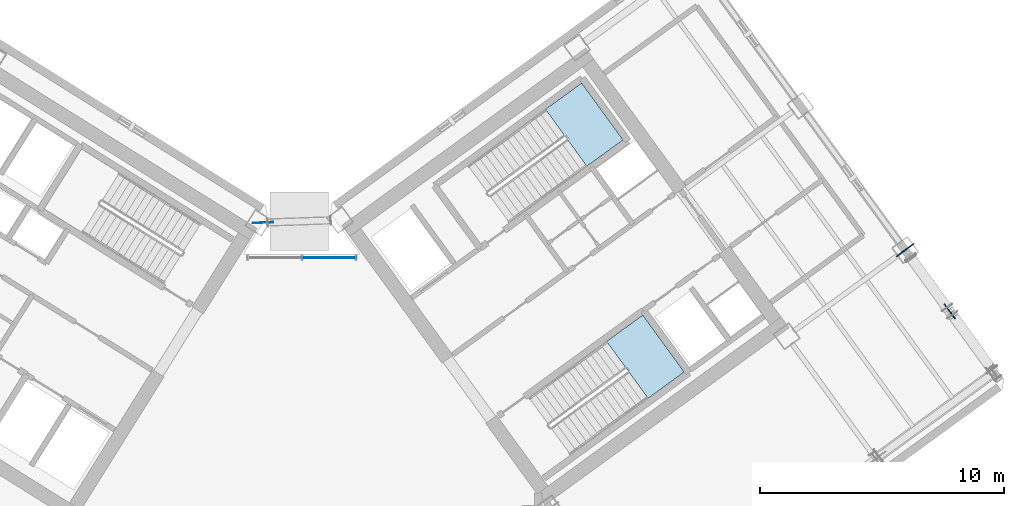
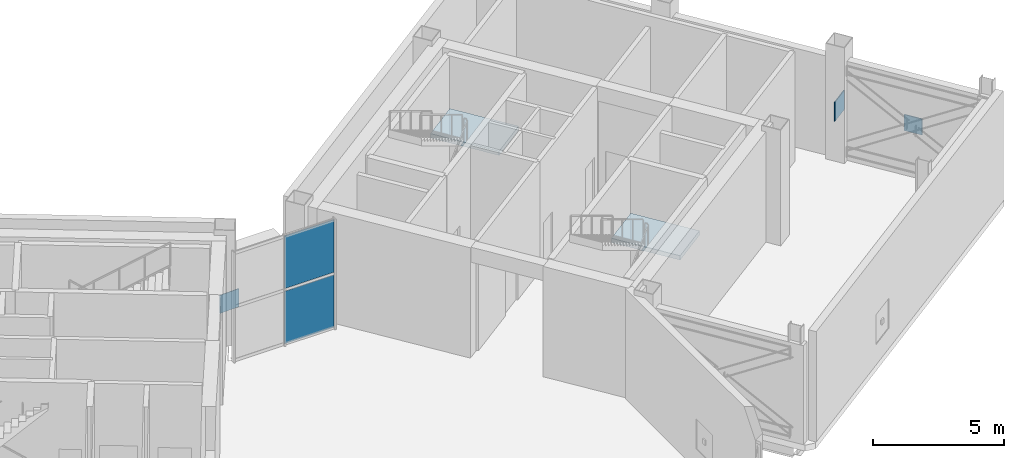
# One storey, part 17 of 30: 5 plates, 2 slabs, 3 elements without a shape of their own.
"""IFC4 building model written with IfcOpenShell, lengths in metres."""

from ifc_helpers import new_model, si_unit, direction, frame, origin, origin_2d, place, context, subcontext, project, spatial, polyline, rectangle, outline, extrude, source, transform, mapped, material, layer, layer_set, type_object, element, aggregate, save


model = new_model("IFC4")

# Units and contexts
model_context = context("Model", 3, precision=1e-05, world=origin(), true_north=direction((0.0, 1.0)))
body_context = subcontext(model_context, "Body", "Model", "MODEL_VIEW")
ifc_project = project(units=[si_unit("LENGTHUNIT", "METRE"), si_unit("AREAUNIT", "SQUARE_METRE"), si_unit("VOLUMEUNIT", "CUBIC_METRE"), si_unit("PLANEANGLEUNIT", "RADIAN"), si_unit("MASSUNIT", "GRAM", prefix="KILO")], contexts=[model_context])

# Site, building, storey
site_placement = place(None, origin())
site = spatial("IfcSite", under=ifc_project, at=site_placement, CompositionType="ELEMENT")
building_placement = place(site_placement, origin())
building = spatial("IfcBuilding", under=site, at=building_placement, Name="Tlacorven Tower", CompositionType="ELEMENT")
storey_placement = place(building_placement, frame((0.0, 0.0, 169.5)))
storey = spatial("IfcBuildingStorey", under=building, at=storey_placement, Name="L43", CompositionType="ELEMENT", Elevation=169.5)

# Stair, slab
ifc_material_1 = material(Name="Concrete C40/50", Category="concrete")
stair_type = type_object("IfcStairType", Name="ST-CORE-DLG", PredefinedType="HALF_TURN_STAIR", material=ifc_material_1)
stair_1_placement = place(storey_placement, origin())
stair_1 = element("IfcStair", 1, at=stair_1_placement, inside=storey, type_object=stair_type, Name="L43 Protected Exit Stair East 1", PredefinedType="HALF_TURN_STAIR")
ifc_layer_1 = layer(ifc_material_1, 0.199951171875)
ifc_layer_set_1 = layer_set([ifc_layer_1], Name="Concrete C40/50")
slab_type = type_object("IfcSlabType", Name="SL-LND-200", PredefinedType="LANDING", material=ifc_layer_set_1)
slab_1_placement = place(storey_placement, frame((0.0, 0.0, 2.5)))
slab_1 = element("IfcSlab", 2, at=slab_1_placement, type_object=slab_type, Name="ST-E1 landing 1", PredefinedType="LANDING", context=body_context, shape_type="SweptSolid", body=[
    extrude(outline(polyline([(54.230224609375, 26.785888671875), (55.7109375, 27.861572265625), (54.01806640625, 30.19140625), (52.53759765625, 29.11572265625), (54.230224609375, 26.785888671875)])), origin(), (0.0, 0.0, 1.0), 0.199951171875),
])
aggregate(stair_1, [slab_1])

stair_2_placement = place(storey_placement, origin())
stair_2 = element("IfcStair", 3, at=stair_2_placement, inside=storey, type_object=stair_type, Name="L43 Protected Exit Stair East 2", PredefinedType="HALF_TURN_STAIR")
slab_2_placement = place(storey_placement, frame((0.0, 0.0, 2.5)))
slab_2 = element("IfcSlab", 4, at=slab_2_placement, type_object=slab_type, Name="ST-E2 landing 1", PredefinedType="LANDING", context=body_context, shape_type="SweptSolid", body=[
    extrude(outline(polyline([(56.734375, 17.28271484375), (58.21484375, 18.3583984375), (56.52197265625, 20.6884765625), (55.04150390625, 19.61279296875), (56.734375, 17.28271484375)])), origin(), (0.0, 0.0, 1.0), 0.199951171875),
])
aggregate(stair_2, [slab_2])

# Plates
ifc_material_2 = material(Name="Steel S460M", Category="steel")
ifc_layer_2 = layer(ifc_material_2, 0.0400390625)
ifc_layer_set_2 = layer_set([ifc_layer_2], Name="Steel S460M")
plate_type_1 = type_object("IfcPlateType", Name="PL-NODE-ON1", PredefinedType="SHEET", material=ifc_layer_set_2)
shared_shape_1 = source(origin(), body_context, "Body", "SweptSolid", [
    extrude(rectangle(XDim=0.75, YDim=0.0400390625, at=origin_2d()), origin(), (0.0, 0.0, 1.0), 0.75),
])
plate_1_placement = place(storey_placement, frame((69.08984375, 20.845703125, 1.965087890625), z_axis=(0.0, 0.0, 1.0), x_axis=(-0.587785252292, 0.809016994375, 0.0)))
element("IfcPlate", 5, at=plate_1_placement, inside=storey, type_object=plate_type_1, Name="L43 Outrigger X-Brace Crossing Gusset Plate E2", PredefinedType="SHEET", context=body_context, shape_type="MappedRepresentation", body=[
    mapped(shared_shape_1, transform((0.0, 0.0, 0.0), scale=1.0)),
])
shared_shape_2 = source(origin(), body_context, "Body", "SweptSolid", [
    extrude(rectangle(XDim=0.89990234375, YDim=0.0400390625, at=origin_2d()), origin(), (0.0, 0.0, 1.0), 0.89990234375),
])
plate_2_placement = place(storey_placement, frame((67.267822265625, 23.353515625, 1.89013671875), z_axis=(0.0, 0.0, 1.0), x_axis=(0.809016994375, 0.587785252292, 0.0)))
element("IfcPlate", 6, at=plate_2_placement, inside=storey, type_object=plate_type_1, Name="L43 Outrigger Embedded Core Gusset Node Plate ON1", PredefinedType="SHEET", context=body_context, shape_type="MappedRepresentation", body=[
    mapped(shared_shape_2, transform((0.0, 0.0, 0.0), scale=1.0)),
])
ifc_material_3 = material(Name="Steel S355J2", Category="steel")
ifc_layer_3 = layer(ifc_material_3, 0.02587890625)
ifc_layer_set_3 = layer_set([ifc_layer_3], Name="Steel S355J2")
plate_type_2 = type_object("IfcPlateType", Name="PL-NODE-TN1", PredefinedType="SHEET", material=ifc_layer_set_3)
shared_shape_3 = source(origin(), body_context, "Body", "SweptSolid", [
    extrude(rectangle(XDim=0.85009765625, YDim=0.02587890625, at=origin_2d()), origin(), (0.0, 0.0, 1.0), 0.85009765625),
])
plate_3_placement = place(storey_placement, frame((40.972900390625, 24.47509765625, 1.324951171875), z_axis=(0.0, 0.0, 1.0), x_axis=(0.999390830681, 0.034899391837, 0.0)))
element("IfcPlate", 7, at=plate_3_placement, inside=storey, type_object=plate_type_2, Name="L43 structural node gusset plate TRB-L43-RING", PredefinedType="SHEET", context=body_context, shape_type="MappedRepresentation", body=[
    mapped(shared_shape_3, transform((0.0, 0.0, 0.0), scale=1.0)),
])

# Curtain wall, plates
ifc_material_4 = material(Name="Dark solar low-E double glazing in aluminium frame", Category="aluminium")
curtain_wall_type = type_object("IfcCurtainWallType", Name="CW-TWR-MID", PredefinedType="USERDEFINED", material=ifc_material_4)
curtain_wall_placement = place(storey_placement, origin())
curtain_wall = element("IfcCurtainWall", 8, at=curtain_wall_placement, inside=storey, type_object=curtain_wall_type, Name="L43 CW-TWR-MID Curtain Wall 201", ObjectType="UNITISED CURTAIN WALL", PredefinedType="USERDEFINED")
ifc_material_5 = material(Name="High-wind dark solar tempered low-E glazing", Category="glass")
ifc_layer_4 = layer(ifc_material_5, 0.028076171875)
ifc_layer_set_4 = layer_set([ifc_layer_4], Name="High-wind dark solar tempered low-E glazing")
plate_type_3 = type_object("IfcPlateType", Name="CWP-03", PredefinedType="CURTAIN_PANEL", material=ifc_layer_set_4)
shared_shape_4 = source(origin(), body_context, "Body", "SweptSolid", [
    extrude(rectangle(XDim=2.178466796875, YDim=0.028076171875, at=origin_2d()), origin(), (0.0, 0.0, 1.0), 2.452880859375),
])
plate_4_placement = place(storey_placement, frame((43.673583984375, 23.0400390625, 0.06103515625), z_axis=(0.0, 0.0, 1.0), x_axis=(1.0, 0.0, 0.0)))
plate_4 = element("IfcPlate", 9, at=plate_4_placement, type_object=plate_type_3, Name="CW-L43-201 Glazing Panel 3", PredefinedType="CURTAIN_PANEL", context=body_context, shape_type="MappedRepresentation", body=[
    mapped(shared_shape_4, transform((0.0, 0.0, 0.0), scale=1.0)),
])
plate_5_placement = place(storey_placement, frame((43.673583984375, 23.0400390625, 2.63623046875), z_axis=(0.0, 0.0, 1.0), x_axis=(1.0, 0.0, 0.0)))
plate_5 = element("IfcPlate", 10, at=plate_5_placement, type_object=plate_type_3, Name="CW-L43-201 Glazing Panel 4", PredefinedType="CURTAIN_PANEL", context=body_context, shape_type="MappedRepresentation", body=[
    mapped(shared_shape_4, transform((0.0, 0.0, 0.0), scale=1.0)),
])
aggregate(curtain_wall, [plate_4, plate_5])

save(model, "model.ifc")
